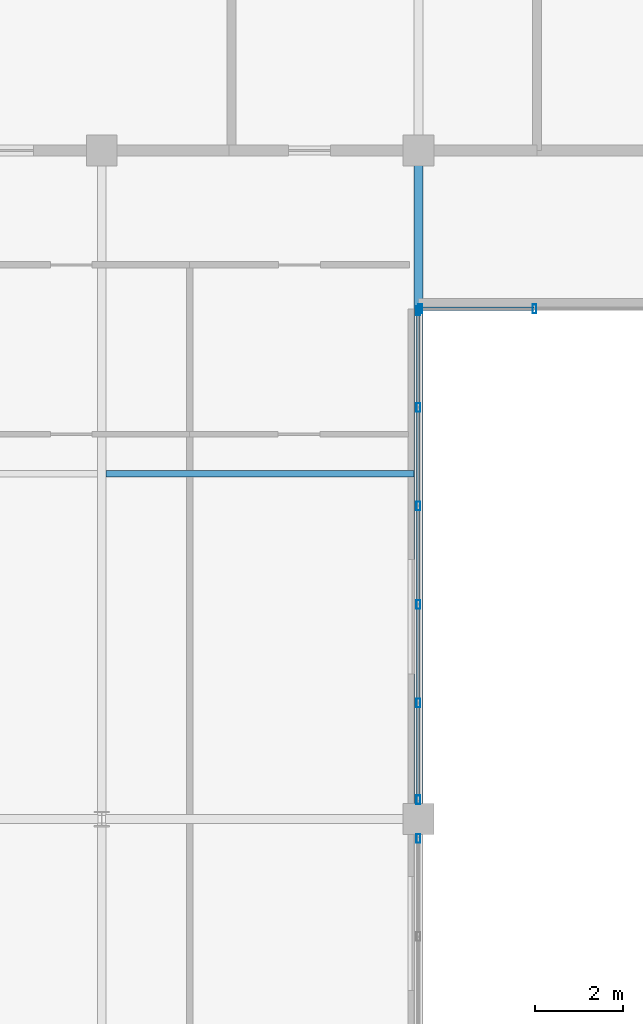
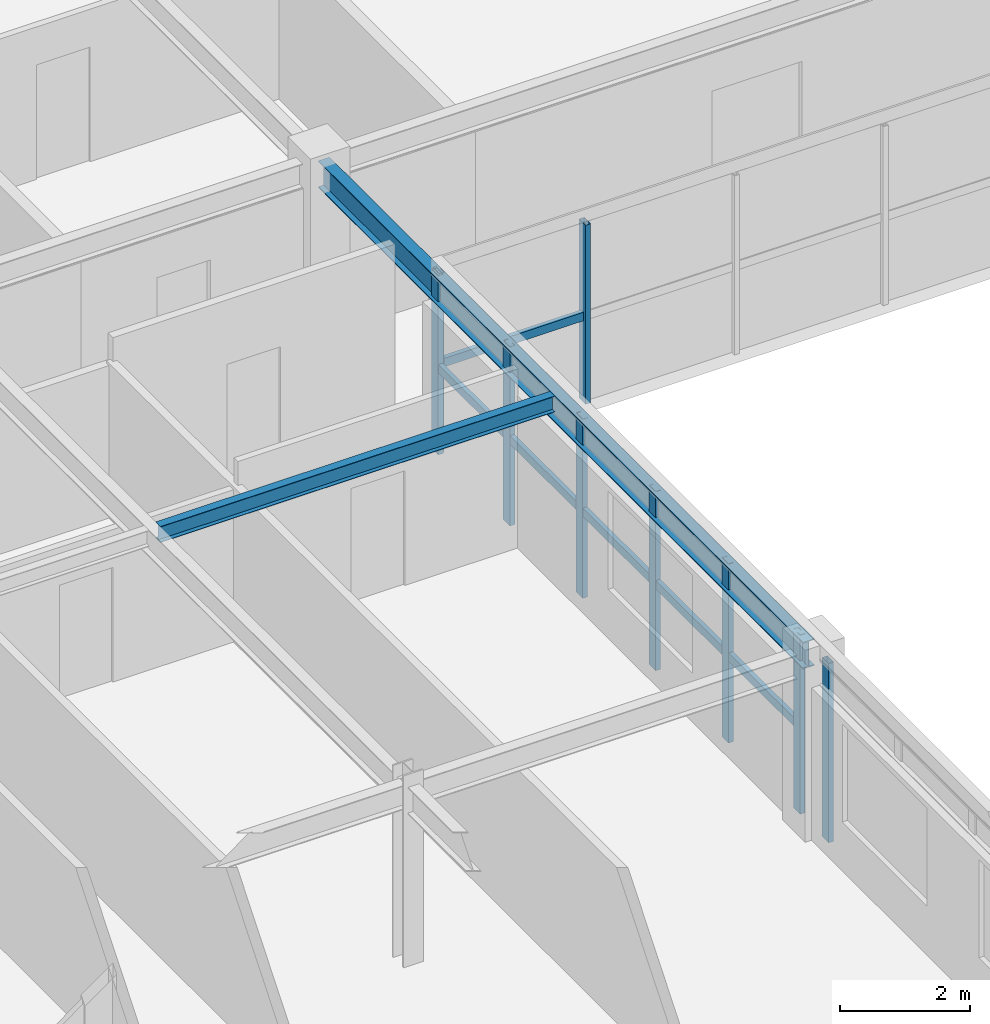
# One storey, part 8 of 35: 15 members, 2 beams, 3 elements without a shape of their own.
"""IFC4 building model written with IfcOpenShell, lengths in metres."""

from ifc_helpers import new_model, si_unit, direction, frame, origin, origin_2d, place, context, subcontext, project, spatial, hollow_rectangle, i_section, extrude, source, transform, mapped, material, material_profile, profile_set, type_object, element, aggregate, save


model = new_model("IFC4")

# Units and contexts
model_context = context("Model", 3, precision=1e-05, world=origin(), true_north=direction((0.0, 1.0)))
body_context = subcontext(model_context, "Body", "Model", "MODEL_VIEW")
ifc_project = project(units=[si_unit("LENGTHUNIT", "METRE"), si_unit("AREAUNIT", "SQUARE_METRE"), si_unit("VOLUMEUNIT", "CUBIC_METRE"), si_unit("PLANEANGLEUNIT", "RADIAN"), si_unit("MASSUNIT", "GRAM", prefix="KILO")], contexts=[model_context])

# Site, building, storey
site_placement = place(None, origin())
site = spatial("IfcSite", under=ifc_project, at=site_placement, CompositionType="ELEMENT")
building_placement = place(site_placement, origin())
building = spatial("IfcBuilding", under=site, at=building_placement, Name="Trelvane Seafront Commons", CompositionType="ELEMENT")
storey_placement = place(building_placement, frame((0.0, 0.0, 194.10009765625)))
storey = spatial("IfcBuildingStorey", under=building, at=storey_placement, Name="L50", CompositionType="ELEMENT", Elevation=194.10009765625)

# Beams
ifc_material_1 = material(Name="Steel SM355 (S355)", Category="steel")
ifc_material_profile_1 = material_profile(ifc_material_1, i_section(OverallWidth=0.199951171875, OverallDepth=0.5, WebThickness=0.010009765625, FlangeThickness=0.01611328125, at=origin_2d()), Name="H-500x200x10x16")
ifc_profile_set_1 = profile_set([ifc_material_profile_1], Name="Steel SM355 (S355)")
beam_type_1 = type_object("IfcBeamType", Name="STR-BM-H500", PredefinedType="BEAM", material=ifc_profile_set_1)
shared_shape_1 = source(origin(), body_context, "Body", "SweptSolid", [
    extrude(i_section(OverallWidth=0.199951171875, OverallDepth=0.5, WebThickness=0.010009765625, FlangeThickness=0.01611328125, at=origin_2d()), origin(), (0.0, 0.0, 1.0), 14.89990234375),
])
beam_1_placement = place(storey_placement, frame((30.60009765625, 18.35009765625, 3.10986328125), z_axis=(0.0, 1.0, 0.0), x_axis=(-1.0, 0.0, 0.0)))
element("IfcBeam", 1, at=beam_1_placement, inside=storey, type_object=beam_type_1, Name="L50 Primary Girder G-39", PredefinedType="BEAM", context=body_context, shape_type="MappedRepresentation", body=[
    mapped(shared_shape_1, transform((0.0, 0.0, 0.0), x_axis=(1.0, 0.0, 0.0), y_axis=(0.0, 1.0, 0.0), z_axis=(0.0, 0.0, 1.0), scale=1.0)),
])
ifc_material_profile_2 = material_profile(ifc_material_1, i_section(OverallWidth=0.14990234375, OverallDepth=0.300048828125, WebThickness=0.006591796875, FlangeThickness=0.009033203125, at=origin_2d()), Name="H-300x150x6.5x9")
ifc_profile_set_2 = profile_set([ifc_material_profile_2], Name="Steel SM355 (S355)")
beam_type_2 = type_object("IfcBeamType", Name="STR-JST-H300", PredefinedType="JOIST", material=ifc_profile_set_2)
shared_shape_2 = source(origin(), body_context, "Body", "SweptSolid", [
    extrude(i_section(OverallWidth=0.14990234375, OverallDepth=0.300048828125, WebThickness=0.006591796875, FlangeThickness=0.009033203125, at=origin_2d()), origin(), (0.0, 0.0, 1.0), 7.0),
])
beam_2_placement = place(storey_placement, frame((23.5, 26.050048828125, 3.2099609375), z_axis=(1.0, 0.0, 0.0), x_axis=(0.0, 1.0, 0.0)))
element("IfcBeam", 2, at=beam_2_placement, inside=storey, type_object=beam_type_2, Name="L50 Secondary Floor Joist B-62", PredefinedType="JOIST", context=body_context, shape_type="MappedRepresentation", body=[
    mapped(shared_shape_2, transform((0.0, 0.0, 0.0), x_axis=(1.0, 0.0, 0.0), y_axis=(0.0, 1.0, 0.0), z_axis=(0.0, 0.0, 1.0), scale=1.0)),
])

# Curtain wall, member
ifc_material_2 = material(Name="Anodised pale-silver aluminium", Category="aluminium")
curtain_wall_type = type_object("IfcCurtainWallType", Name="ARCH-CW3-PORTAL", PredefinedType="NOTDEFINED", material=ifc_material_2)
curtain_wall_1_placement = place(storey_placement, origin())
curtain_wall_1 = element("IfcCurtainWall", 3, at=curtain_wall_1_placement, inside=storey, type_object=curtain_wall_type, Name="CW-L50-VP-0079", PredefinedType="NOTDEFINED")
ifc_material_profile_3 = material_profile(ifc_material_2, hollow_rectangle(XDim=0.090087890625, YDim=0.199951171875, WallThickness=0.0048828125, at=origin_2d()), Name="MULL-90x200x5")
ifc_profile_set_3 = profile_set([ifc_material_profile_3], Name="Anodised pale-silver aluminium")
member_type_1 = type_object("IfcMemberType", Name="ARCH-CW-MULL-200", PredefinedType="MULLION", material=ifc_profile_set_3)
shared_shape_3 = source(origin(), body_context, "Body", "SweptSolid", [
    extrude(hollow_rectangle(XDim=0.090087890625, YDim=0.199951171875, WallThickness=0.0048828125, at=origin_2d()), origin(), (0.0, 0.0, 1.0), 3.35986328125),
])
member_1_placement = place(storey_placement, frame((30.60009765625, 17.760009765625, 0.0), z_axis=(0.0, 0.0, 1.0), x_axis=(1.0, 0.0, 0.0)))
member_1 = element("IfcMember", 4, at=member_1_placement, type_object=member_type_1, Name="CW-L50-VP-0079-M06", PredefinedType="MULLION", context=body_context, shape_type="MappedRepresentation", body=[
    mapped(shared_shape_3, transform((0.0, 0.0, 0.0), x_axis=(1.0, 0.0, 0.0), y_axis=(0.0, 1.0, 0.0), z_axis=(0.0, 0.0, 1.0), scale=1.0)),
])
aggregate(curtain_wall_1, [member_1])

# Curtain wall, members
curtain_wall_2_placement = place(storey_placement, origin())
curtain_wall_2 = element("IfcCurtainWall", 5, at=curtain_wall_2_placement, inside=storey, type_object=curtain_wall_type, Name="CW-L50-VP-0080", PredefinedType="NOTDEFINED")
member_2_placement = place(storey_placement, frame((30.60009765625, 18.639892578125, 0.0), z_axis=(0.0, 0.0, 1.0), x_axis=(1.0, 0.0, 0.0)))
member_2 = element("IfcMember", 6, at=member_2_placement, type_object=member_type_1, Name="CW-L50-VP-0080-M00", PredefinedType="MULLION", context=body_context, shape_type="MappedRepresentation", body=[
    mapped(shared_shape_3, transform((0.0, 0.0, 0.0), x_axis=(1.0, 0.0, 0.0), y_axis=(0.0, 1.0, 0.0), z_axis=(0.0, 0.0, 1.0), scale=1.0)),
])
member_3_placement = place(storey_placement, frame((30.60009765625, 20.840087890625, 0.0), z_axis=(0.0, 0.0, 1.0), x_axis=(1.0, 0.0, 0.0)))
member_3 = element("IfcMember", 7, at=member_3_placement, type_object=member_type_1, Name="CW-L50-VP-0080-M01", PredefinedType="MULLION", context=body_context, shape_type="MappedRepresentation", body=[
    mapped(shared_shape_3, transform((0.0, 0.0, 0.0), x_axis=(1.0, 0.0, 0.0), y_axis=(0.0, 1.0, 0.0), z_axis=(0.0, 0.0, 1.0), scale=1.0)),
])
member_4_placement = place(storey_placement, frame((30.60009765625, 23.080078125, 0.0), z_axis=(0.0, 0.0, 1.0), x_axis=(1.0, 0.0, 0.0)))
member_4 = element("IfcMember", 8, at=member_4_placement, type_object=member_type_1, Name="CW-L50-VP-0080-M02", PredefinedType="MULLION", context=body_context, shape_type="MappedRepresentation", body=[
    mapped(shared_shape_3, transform((0.0, 0.0, 0.0), x_axis=(1.0, 0.0, 0.0), y_axis=(0.0, 1.0, 0.0), z_axis=(0.0, 0.0, 1.0), scale=1.0)),
])
member_5_placement = place(storey_placement, frame((30.60009765625, 25.320068359375, 0.0), z_axis=(0.0, 0.0, 1.0), x_axis=(1.0, 0.0, 0.0)))
member_5 = element("IfcMember", 9, at=member_5_placement, type_object=member_type_1, Name="CW-L50-VP-0080-M03", PredefinedType="MULLION", context=body_context, shape_type="MappedRepresentation", body=[
    mapped(shared_shape_3, transform((0.0, 0.0, 0.0), x_axis=(1.0, 0.0, 0.0), y_axis=(0.0, 1.0, 0.0), z_axis=(0.0, 0.0, 1.0), scale=1.0)),
])
member_6_placement = place(storey_placement, frame((30.60009765625, 27.56005859375, 0.0), z_axis=(0.0, 0.0, 1.0), x_axis=(1.0, 0.0, 0.0)))
member_6 = element("IfcMember", 10, at=member_6_placement, type_object=member_type_1, Name="CW-L50-VP-0080-M04", PredefinedType="MULLION", context=body_context, shape_type="MappedRepresentation", body=[
    mapped(shared_shape_3, transform((0.0, 0.0, 0.0), x_axis=(1.0, 0.0, 0.0), y_axis=(0.0, 1.0, 0.0), z_axis=(0.0, 0.0, 1.0), scale=1.0)),
])
member_7_placement = place(storey_placement, frame((30.60009765625, 29.760009765625, 0.0), z_axis=(0.0, 0.0, 1.0), x_axis=(1.0, 0.0, 0.0)))
member_7 = element("IfcMember", 11, at=member_7_placement, type_object=member_type_1, Name="CW-L50-VP-0080-M05", PredefinedType="MULLION", context=body_context, shape_type="MappedRepresentation", body=[
    mapped(shared_shape_3, transform((0.0, 0.0, 0.0), x_axis=(1.0, 0.0, 0.0), y_axis=(0.0, 1.0, 0.0), z_axis=(0.0, 0.0, 1.0), scale=1.0)),
])

curtain_wall_3_placement = place(storey_placement, origin())
curtain_wall_3 = element("IfcCurtainWall", 12, at=curtain_wall_3_placement, inside=storey, type_object=curtain_wall_type, Name="CW-L50-VP-0081", PredefinedType="NOTDEFINED")
member_8_placement = place(storey_placement, frame((30.639892578125, 29.800048828125, 0.0), z_axis=(0.0, 0.0, 1.0), x_axis=(1.0, 0.0, 0.0)))
member_8 = element("IfcMember", 13, at=member_8_placement, type_object=member_type_1, Name="CW-L50-VP-0081-M00", PredefinedType="MULLION", context=body_context, shape_type="MappedRepresentation", body=[
    mapped(shared_shape_3, transform((0.0, 0.0, 0.0), x_axis=(1.0, 0.0, 0.0), y_axis=(0.0, 1.0, 0.0), z_axis=(0.0, 0.0, 1.0), scale=1.0)),
])
member_9_placement = place(storey_placement, frame((33.239990234375, 29.800048828125, 0.0), z_axis=(0.0, 0.0, 1.0), x_axis=(1.0, 0.0, 0.0)))
member_9 = element("IfcMember", 14, at=member_9_placement, type_object=member_type_1, Name="CW-L50-VP-0081-M01", PredefinedType="MULLION", context=body_context, shape_type="MappedRepresentation", body=[
    mapped(shared_shape_3, transform((0.0, 0.0, 0.0), x_axis=(1.0, 0.0, 0.0), y_axis=(0.0, 1.0, 0.0), z_axis=(0.0, 0.0, 1.0), scale=1.0)),
])

# Member
ifc_material_profile_4 = material_profile(ifc_material_2, hollow_rectangle(XDim=0.080078125, YDim=0.159912109375, WallThickness=0.00439453125, at=origin_2d()), Name="TRAN-80x160x4.5")
ifc_profile_set_4 = profile_set([ifc_material_profile_4], Name="Anodised pale-silver aluminium")
member_type_2 = type_object("IfcMemberType", Name="ARCH-CW-TRAN-160", PredefinedType="USERDEFINED", material=ifc_profile_set_4)
shared_shape_4 = source(origin(), body_context, "Body", "SweptSolid", [
    extrude(hollow_rectangle(XDim=0.080078125, YDim=0.159912109375, WallThickness=0.00439453125, at=origin_2d()), origin(), (0.0, 0.0, 1.0), 2.2158203125),
])
member_10_placement = place(storey_placement, frame((30.60009765625, 18.612060546875, 1.61279296875), z_axis=(0.0, 1.0, 0.0), x_axis=(-1.0, 0.0, 0.0)))
member_10 = element("IfcMember", 15, at=member_10_placement, type_object=member_type_2, Name="CW-L50-VP-0080-T00", ObjectType="TRANSOM", PredefinedType="USERDEFINED", context=body_context, shape_type="MappedRepresentation", body=[
    mapped(shared_shape_4, transform((0.0, 0.0, 0.0), x_axis=(1.0, 0.0, 0.0), y_axis=(0.0, 1.0, 0.0), z_axis=(0.0, 0.0, 1.0), scale=1.0)),
])

shared_shape_5 = source(origin(), body_context, "Body", "SweptSolid", [
    extrude(hollow_rectangle(XDim=0.080078125, YDim=0.159912109375, WallThickness=0.00439453125, at=origin_2d()), origin(), (0.0, 0.0, 1.0), 2.216064453125),
])
member_11_placement = place(storey_placement, frame((30.60009765625, 20.85205078125, 1.61279296875), z_axis=(0.0, 1.0, 0.0), x_axis=(-1.0, 0.0, 0.0)))
member_11 = element("IfcMember", 16, at=member_11_placement, type_object=member_type_2, Name="CW-L50-VP-0080-T01", ObjectType="TRANSOM", PredefinedType="USERDEFINED", context=body_context, shape_type="MappedRepresentation", body=[
    mapped(shared_shape_5, transform((0.0, 0.0, 0.0), x_axis=(1.0, 0.0, 0.0), y_axis=(0.0, 1.0, 0.0), z_axis=(0.0, 0.0, 1.0), scale=1.0)),
])

member_12_placement = place(storey_placement, frame((30.60009765625, 23.092041015625, 1.61279296875), z_axis=(0.0, 1.0, 0.0), x_axis=(-1.0, 0.0, 0.0)))
member_12 = element("IfcMember", 17, at=member_12_placement, type_object=member_type_2, Name="CW-L50-VP-0080-T02", ObjectType="TRANSOM", PredefinedType="USERDEFINED", context=body_context, shape_type="MappedRepresentation", body=[
    mapped(shared_shape_5, transform((0.0, 0.0, 0.0), x_axis=(1.0, 0.0, 0.0), y_axis=(0.0, 1.0, 0.0), z_axis=(0.0, 0.0, 1.0), scale=1.0)),
])

member_13_placement = place(storey_placement, frame((30.60009765625, 25.33203125, 1.61279296875), z_axis=(0.0, 1.0, 0.0), x_axis=(-1.0, 0.0, 0.0)))
member_13 = element("IfcMember", 18, at=member_13_placement, type_object=member_type_2, Name="CW-L50-VP-0080-T03", ObjectType="TRANSOM", PredefinedType="USERDEFINED", context=body_context, shape_type="MappedRepresentation", body=[
    mapped(shared_shape_5, transform((0.0, 0.0, 0.0), x_axis=(1.0, 0.0, 0.0), y_axis=(0.0, 1.0, 0.0), z_axis=(0.0, 0.0, 1.0), scale=1.0)),
])

member_14_placement = place(storey_placement, frame((30.60009765625, 27.572021484375, 1.61279296875), z_axis=(0.0, 1.0, 0.0), x_axis=(-1.0, 0.0, 0.0)))
member_14 = element("IfcMember", 19, at=member_14_placement, type_object=member_type_2, Name="CW-L50-VP-0080-T04", ObjectType="TRANSOM", PredefinedType="USERDEFINED", context=body_context, shape_type="MappedRepresentation", body=[
    mapped(shared_shape_5, transform((0.0, 0.0, 0.0), x_axis=(1.0, 0.0, 0.0), y_axis=(0.0, 1.0, 0.0), z_axis=(0.0, 0.0, 1.0), scale=1.0)),
])

aggregate(curtain_wall_2, [member_2, member_3, member_4, member_5, member_6, member_7, member_10, member_11, member_12, member_13, member_14])

shared_shape_6 = source(origin(), body_context, "Body", "SweptSolid", [
    extrude(hollow_rectangle(XDim=0.080078125, YDim=0.159912109375, WallThickness=0.00439453125, at=origin_2d()), origin(), (0.0, 0.0, 1.0), 2.615966796875),
])
member_15_placement = place(storey_placement, frame((30.612060546875, 29.800048828125, 1.61279296875), z_axis=(1.0, 0.0, 0.0), x_axis=(0.0, 1.0, 0.0)))
member_15 = element("IfcMember", 20, at=member_15_placement, type_object=member_type_2, Name="CW-L50-VP-0081-T00", ObjectType="TRANSOM", PredefinedType="USERDEFINED", context=body_context, shape_type="MappedRepresentation", body=[
    mapped(shared_shape_6, transform((0.0, 0.0, 0.0), x_axis=(1.0, 0.0, 0.0), y_axis=(0.0, 1.0, 0.0), z_axis=(0.0, 0.0, 1.0), scale=1.0)),
])

aggregate(curtain_wall_3, [member_8, member_9, member_15])

save(model, "model.ifc")
